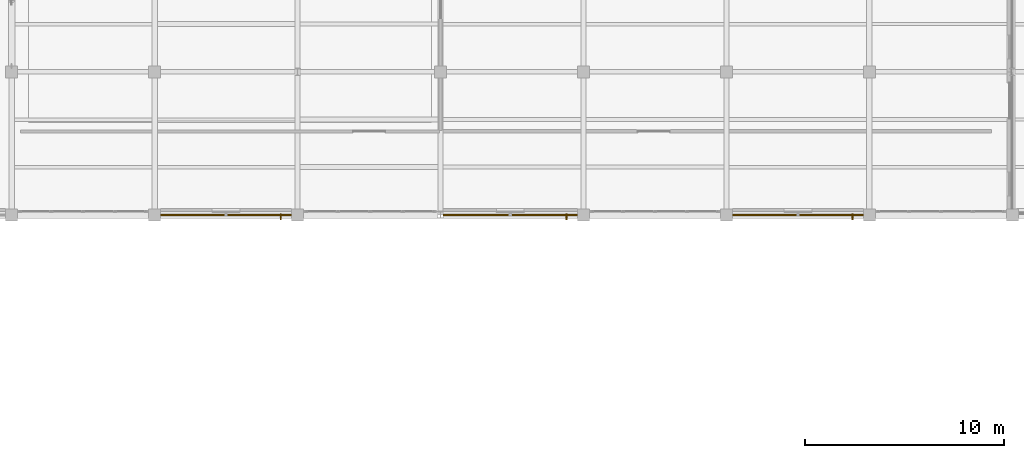
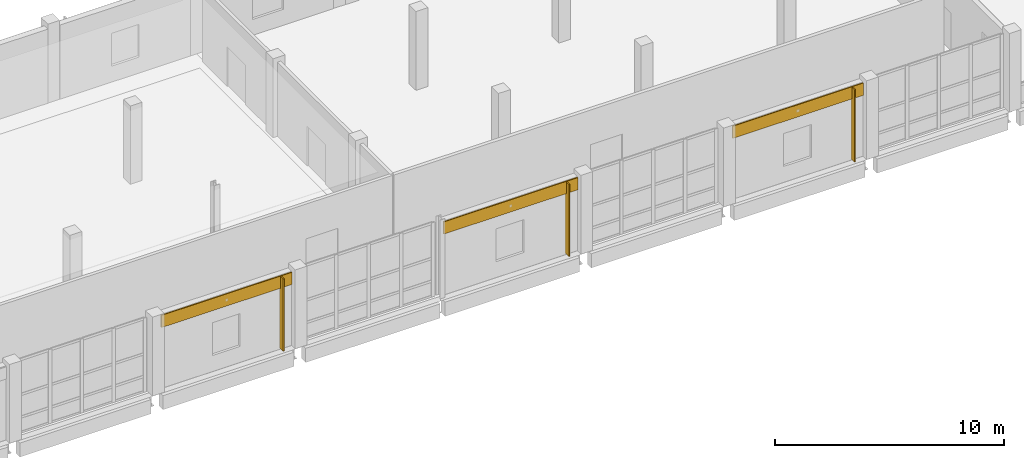
# One storey, part 90 of 94: 3 coverings, 3 shading devices.
"""IFC4 building model written with IfcOpenShell, lengths in metres."""

import ifcopenshell
import ifcopenshell.guid

model = None  # the IFC model being written
_history = None  # IfcOwnerHistory: only IFC2X3 demands one
_inside = {}  # id of a spatial element -> (the spatial element, [elements in it])
_under = {}  # id of a project, library or spatial element -> (it, [spatial elements below it])
_declared = {}  # id of a project -> (the project, [libraries it declares])
_typed = {}  # id of a type object -> (the type object, [elements of that type])
_made_of = {}  # id of a material, layer set ... -> (it, [elements and type objects made of it])


def new_model(schema):
    """Start an empty IFC model of exactly this schema.

    Asked for "IFC4X3", IfcOpenShell would pick the latest addendum, in which some entities
    have other attributes; the version numbers below select the first issue.
    IFC2X3 requires an IfcOwnerHistory on every rooted entity: one is made here for all.
    """
    global model, _history
    if schema == "IFC4X3":
        model = ifcopenshell.file(schema_version=(4, 3, 0, 0))
    else:
        model = ifcopenshell.file(schema=schema)
    _inside.clear()
    _under.clear()
    _declared.clear()
    _typed.clear()
    _made_of.clear()
    _history = None
    if model.schema == "IFC2X3":
        org = make("IfcOrganization", Name="unknown")
        user = make(
            "IfcPersonAndOrganization",
            ThePerson=make("IfcPerson", FamilyName="unknown"),
            TheOrganization=org,
        )
        app = make(
            "IfcApplication",
            ApplicationDeveloper=org,
            Version="unknown",
            ApplicationFullName="unknown",
            ApplicationIdentifier="unknown",
        )
        _history = make(
            "IfcOwnerHistory",
            OwningUser=user,
            OwningApplication=app,
            ChangeAction="ADDED",
            CreationDate=0,
        )
    return model


def make(cls, **values):
    """One entity of the class cls with the attributes given. An attribute that is None is left unset."""
    return model.create_entity(
        cls, **{name: value for name, value in values.items() if value is not None}
    )


def rooted(cls, **values):
    """An entity with a GlobalId (a new one), such as an element, a storey or a relation."""
    return make(cls, GlobalId=ifcopenshell.guid.new(), OwnerHistory=_history, **values)


def si_unit(unit_type, name, prefix=None):
    """IfcSIUnit, for example si_unit("LENGTHUNIT", "METRE", prefix="MILLI")."""
    return make("IfcSIUnit", UnitType=unit_type, Prefix=prefix, Name=name)


def assignment(units):
    """IfcUnitAssignment: the units of a project."""
    return None if units is None else make("IfcUnitAssignment", Units=units)


def point(xyz):
    """IfcCartesianPoint."""
    return None if xyz is None else make("IfcCartesianPoint", Coordinates=xyz)


def direction(xyz):
    """IfcDirection."""
    return None if xyz is None else make("IfcDirection", DirectionRatios=xyz)


def frame(location, z_axis=None, x_axis=None):
    """IfcAxis2Placement3D, a coordinate frame: its origin and axes. An axis left out is left unset."""
    return make(
        "IfcAxis2Placement3D",
        Location=point(location),
        Axis=direction(z_axis),
        RefDirection=direction(x_axis),
    )


def frame_2d(location, x_axis=None):
    """IfcAxis2Placement2D, a coordinate frame in the plane: its origin and x axis."""
    return make(
        "IfcAxis2Placement2D", Location=point(location), RefDirection=direction(x_axis)
    )


def origin():
    """The frame at (0, 0, 0) with its axes left unset."""
    return frame((0.0, 0.0, 0.0))


def origin_2d():
    """The frame at (0, 0) in the plane with its x axis left unset."""
    return frame_2d((0.0, 0.0))


def place(relative_to, where):
    """IfcLocalPlacement: puts the frame where relative to a parent placement (None: the world)."""
    return make(
        "IfcLocalPlacement", PlacementRelTo=relative_to, RelativePlacement=where
    )


def context(
    kind, dimensions, precision=None, world=None, true_north=None, identifier=None
):
    """IfcGeometricRepresentationContext, for example the 3D "Model" context."""
    return make(
        "IfcGeometricRepresentationContext",
        ContextIdentifier=identifier,
        ContextType=kind,
        CoordinateSpaceDimension=dimensions,
        Precision=precision,
        WorldCoordinateSystem=world,
        TrueNorth=true_north,
    )


def subcontext(parent, identifier, kind, view, scale=None):
    """IfcGeometricRepresentationSubContext, for example "Body" below "Model"."""
    return make(
        "IfcGeometricRepresentationSubContext",
        ContextIdentifier=identifier,
        ContextType=kind,
        ParentContext=parent,
        TargetScale=scale,
        TargetView=view,
    )


def project(units=None, contexts=None):
    """IfcProject with its units and contexts."""
    return rooted(
        "IfcProject",
        Name="project",
        RepresentationContexts=contexts,
        UnitsInContext=assignment(units),
    )


def spatial(cls, under=None, at=None, **own):
    """A site, building, storey or space (cls), placed at a placement, below another one or the project."""
    s = rooted(cls, ObjectPlacement=at, **own)
    if under is not None:
        _under.setdefault(under.id(), (under, []))[1].append(s)
    return s


def profile(cls, at=None, kind="AREA", **sizes):
    """A parametric profile (cls). Its sizes go by their IFC names, for example OverallWidth=200.0."""
    return make(cls, ProfileType=kind, Position=at, **sizes)


def rectangle(**sizes):
    """IfcRectangleProfileDef."""
    return profile("IfcRectangleProfileDef", **sizes)


def extrude(swept, where, along, depth):
    """IfcExtrudedAreaSolid: the profile swept, set in the frame where, extruded along a direction by depth."""
    return make(
        "IfcExtrudedAreaSolid",
        SweptArea=swept,
        Position=where,
        ExtrudedDirection=direction(along),
        Depth=depth,
    )


def shape(context_of_items, identifier, shape_type, items):
    """IfcShapeRepresentation: the items that make up one representation, for example the "Body"."""
    return make(
        "IfcShapeRepresentation",
        ContextOfItems=context_of_items,
        RepresentationIdentifier=identifier,
        RepresentationType=shape_type,
        Items=items,
    )


def material(Name=None, Category=None):
    """IfcMaterial."""
    return make("IfcMaterial", Name=Name, Category=Category)


def layer(
    of_material, thickness, ventilated=None, Name=None, Category=None, Priority=None
):
    """IfcMaterialLayer: one layer of a wall or slab, of a material (None: an air gap)."""
    return make(
        "IfcMaterialLayer",
        Material=of_material,
        LayerThickness=thickness,
        IsVentilated=ventilated,
        Name=Name,
        Category=Category,
        Priority=Priority,
    )


def layer_set(layers, Name=None):
    """IfcMaterialLayerSet."""
    return make("IfcMaterialLayerSet", MaterialLayers=layers, LayerSetName=Name)


def made_of(thing, what):
    """Note that an element or type object is made of a material, layer set ...; save() writes the relation."""
    if what is not None:
        _made_of.setdefault(what.id(), (what, []))[1].append(thing)
    return thing


def type_object(cls, material=None, **own):
    """A type object (cls), such as IfcWallType, which elements share."""
    return made_of(rooted(cls, **own), material)


def element(
    cls,
    number,
    at=None,
    inside=None,
    cuts=None,
    type_object=None,
    material=None,
    context=None,
    identifier="Body",
    shape_type=None,
    held_by="IfcProductDefinitionShape",
    body=None,
    shapes=None,
    **own,
):
    """One element of the class cls, such as IfcWall. Its Tag is "e" and its number.

    at: its placement. inside: the storey or other place that contains it. cuts: it is an
    opening in that element (IfcRelVoidsElement). A single representation is given by context,
    identifier, shape_type and body (its items); several are given by shapes. held_by: the class
    of the entity that holds the representations. save() writes the other relations.
    """
    e = rooted(cls, Tag="e%d" % number, ObjectPlacement=at, **own)
    if body is not None:
        shapes = [shape(context, identifier, shape_type, body)]
    if shapes is not None:
        e.Representation = make(held_by, Representations=shapes)
    if inside is not None:
        _inside.setdefault(inside.id(), (inside, []))[1].append(e)
    if cuts is not None:
        rooted(
            "IfcRelVoidsElement", RelatingBuildingElement=cuts, RelatedOpeningElement=e
        )
    if type_object is not None:
        _typed.setdefault(type_object.id(), (type_object, []))[1].append(e)
    return made_of(e, material)


def aggregate(whole, parts):
    """IfcRelAggregates: a whole, such as a stair, and the parts it consists of."""
    return rooted("IfcRelAggregates", RelatingObject=whole, RelatedObjects=parts)


def save(model, path):
    """Write the relations noted so far, then the file.

    IfcRelAggregates (storeys below a building ...), IfcRelContainedInSpatialStructure (elements
    in a storey), IfcRelDefinesByType, IfcRelAssociatesMaterial and IfcRelDeclares: one each for
    every whole, place, type object, material and project.
    """
    for whole, parts in _under.values():
        aggregate(whole, parts)
    for where, things in _inside.values():
        rooted(
            "IfcRelContainedInSpatialStructure",
            RelatedElements=things,
            RelatingStructure=where,
        )
    for kind, things in _typed.values():
        rooted("IfcRelDefinesByType", RelatedObjects=things, RelatingType=kind)
    for what, things in _made_of.values():
        rooted("IfcRelAssociatesMaterial", RelatedObjects=things, RelatingMaterial=what)
    for by, libraries in _declared.values():
        rooted("IfcRelDeclares", RelatingContext=by, RelatedDefinitions=libraries)
    model.write(path)


model = new_model("IFC4")

# Units and contexts
model_context = context("Model", 3, precision=1e-05, world=origin(), true_north=direction((0.0, 1.0)))
body_context = subcontext(model_context, "Body", "Model", "MODEL_VIEW")
ifc_project = project(units=[si_unit("LENGTHUNIT", "METRE"), si_unit("AREAUNIT", "SQUARE_METRE"), si_unit("VOLUMEUNIT", "CUBIC_METRE"), si_unit("PLANEANGLEUNIT", "RADIAN"), si_unit("MASSUNIT", "GRAM", prefix="KILO")], contexts=[model_context])

# Site, building, storey
site_placement = place(None, origin())
site = spatial("IfcSite", under=ifc_project, at=site_placement, CompositionType="ELEMENT")
building_placement = place(site_placement, origin())
building = spatial("IfcBuilding", under=site, at=building_placement, Name="Kalmorath City Hall", CompositionType="ELEMENT")
storey_placement = place(building_placement, frame((0.0, 0.0, 14.699951171875)))
storey = spatial("IfcBuildingStorey", under=building, at=storey_placement, Name="L03", CompositionType="ELEMENT", Elevation=14.699951171875)

# Shading devices
ifc_material_1 = material(Name="Bronze anodised aluminium", Category="aluminium")
ifc_layer_1 = layer(ifc_material_1, 0.06005859375)
ifc_layer_set_1 = layer_set([ifc_layer_1], Name="Bronze anodised aluminium")
shading_device_type = type_object("IfcShadingDeviceType", Name="Bronze vertical solar fin 320", PredefinedType="USERDEFINED", material=ifc_layer_set_1)
for number, where, z_axis, x_axis, name in (
    (1, (107.14892578125, 93.5, 0.050048828125), (0.0, 0.0, 1.0), (-1.0, 0.0, 0.0), "L03 bronze solar fin #334"),
    (2, (92.7490234375, 93.5, 0.050048828125), (0.0, 0.0, 1.0), (-1.0, 0.0, 0.0), "L03 bronze solar fin #335"),
    (3, (78.34912109375, 93.5, 0.050048828125), (0.0, 0.0, 1.0), (-1.0, 0.0, 0.0), "L03 bronze solar fin #336"),
):
    element("IfcShadingDevice", number, at=place(storey_placement, frame(where, z_axis=z_axis, x_axis=x_axis)), inside=storey, type_object=shading_device_type, Name=name, ObjectType="FIN", PredefinedType="USERDEFINED", context=body_context, shape_type="SweptSolid", body=[
        extrude(rectangle(XDim=0.06005859375, YDim=0.320068359375, at=origin_2d()), origin(), (0.0, 0.0, 1.0), 3.85009765625),
    ])

# Coverings
ifc_material_2 = material(Name="Volcanic basalt stone cladding", Category="masonry")
ifc_layer_2 = layer(ifc_material_2, 0.06005859375)
ifc_layer_set_2 = layer_set([ifc_layer_2], Name="Volcanic basalt stone cladding")
covering_type = type_object("IfcCoveringType", Name="Volcanic basalt stone rainscreen cladding", PredefinedType="CLADDING", material=ifc_layer_set_2)
covering_1_placement = place(storey_placement, frame((104.39990234375, 93.594970703125, 3.275146484375), z_axis=(0.0, 0.0, 1.0), x_axis=(-1.0, 0.0, 0.0)))
element("IfcCovering", 4, at=covering_1_placement, inside=storey, type_object=covering_type, Name="L03 basalt spandrel cladding #75", PredefinedType="CLADDING", context=body_context, shape_type="SweptSolid", body=[
    extrude(rectangle(XDim=6.597900390625, YDim=0.06005859375, at=origin_2d()), origin(), (0.0, 0.0, 1.0), 0.64990234375),
])
covering_2_placement = place(storey_placement, frame((89.91357421875, 93.594970703125, 3.275146484375), z_axis=(0.0, 0.0, 1.0), x_axis=(-1.0, 0.0, 0.0)))
element("IfcCovering", 5, at=covering_2_placement, inside=storey, type_object=covering_type, Name="L03 basalt spandrel cladding #76", PredefinedType="CLADDING", context=body_context, shape_type="SweptSolid", body=[
    extrude(rectangle(XDim=6.77099609375, YDim=0.06005859375, at=origin_2d()), origin(), (0.0, 0.0, 1.0), 0.64990234375),
])
covering_3_placement = place(storey_placement, frame((75.60009765625, 93.594970703125, 3.275146484375), z_axis=(0.0, 0.0, 1.0), x_axis=(-1.0, 0.0, 0.0)))
element("IfcCovering", 6, at=covering_3_placement, inside=storey, type_object=covering_type, Name="L03 basalt spandrel cladding #77", PredefinedType="CLADDING", context=body_context, shape_type="SweptSolid", body=[
    extrude(rectangle(XDim=6.597900390625, YDim=0.06005859375, at=origin_2d()), origin(), (0.0, 0.0, 1.0), 0.64990234375),
])

save(model, "model.ifc")
